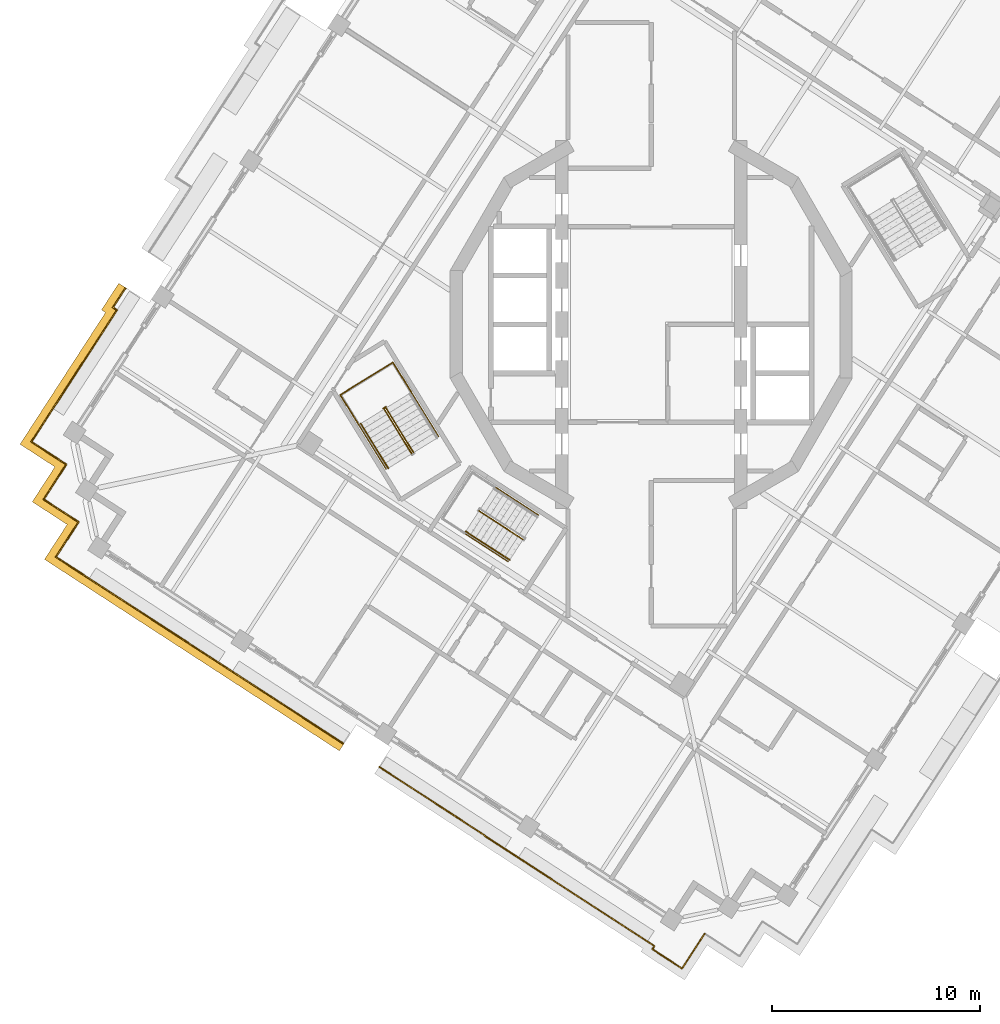
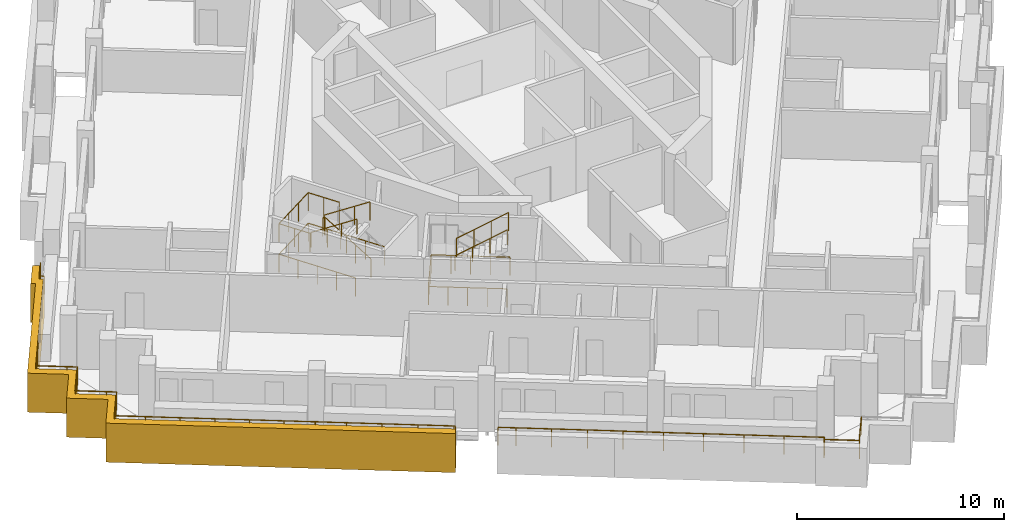
# One storey, part 11 of 15: 11 railings, 1 covering.
"""IFC4 building model written with IfcOpenShell, lengths in metres."""

from ifc_helpers import new_model, si_unit, direction, frame, origin, origin_2d, place, context, subcontext, project, spatial, polyline, circle, outline, extrude, material, type_object, element, save


model = new_model("IFC4")

# Units and contexts
model_context = context("Model", 3, precision=1e-05, world=origin(), true_north=direction((0.0, 1.0)))
body_context = subcontext(model_context, "Body", "Model", "MODEL_VIEW")
ifc_project = project(units=[si_unit("LENGTHUNIT", "METRE"), si_unit("AREAUNIT", "SQUARE_METRE"), si_unit("VOLUMEUNIT", "CUBIC_METRE"), si_unit("PLANEANGLEUNIT", "RADIAN"), si_unit("MASSUNIT", "GRAM", prefix="KILO")], contexts=[model_context])

# Site, building, storey
site_placement = place(None, origin())
site = spatial("IfcSite", under=ifc_project, at=site_placement, CompositionType="ELEMENT")
building_placement = place(site_placement, origin())
building = spatial("IfcBuilding", under=site, at=building_placement, Name="Cantera Rosa Tower", CompositionType="ELEMENT")
storey_placement = place(building_placement, frame((0.0, 0.0, 272.10009765625)))
storey = spatial("IfcBuildingStorey", under=building, at=storey_placement, Name="L61", CompositionType="ELEMENT", Elevation=272.10009765625)

# Railings
ifc_material_1 = material(Name="Stainless steel and laminated glass", Category="steel")
railing_type_1 = type_object("IfcRailingType", Name="GUARD 1100", PredefinedType="BALUSTRADE", material=ifc_material_1)
railing_1_placement = place(storey_placement, frame((-28.3720703125, -7.151123046875, 0.0)))
element("IfcRailing", 1, at=railing_1_placement, inside=storey, type_object=railing_type_1, Name="GUARD L61-1", PredefinedType="BALUSTRADE", context=body_context, shape_type="SweptSolid", body=[
    extrude(circle(Radius=0.030029296875, at=origin_2d()), frame((0.0, 0.0, 1.070068359375), z_axis=(0.544627753175, 0.83867789435, 0.0), x_axis=(-0.83867789435, 0.544627753175, 0.0)), (0.0, 0.0, 1.0), 0.499755859375),
    extrude(circle(Radius=0.030029296875, at=origin_2d()), frame((0.272216796875, 0.419189453125, 1.070068359375), z_axis=(-0.838454772945, 0.544971186143, 0.0), x_axis=(-0.544971186143, -0.838454772945, 0.0)), (0.0, 0.0, 1.0), 0.5),
    extrude(circle(Radius=0.030029296875, at=origin_2d()), frame((-0.14697265625, 0.691650390625, 1.070068359375), z_axis=(-0.8387001057, 0.544593548161, 0.0), x_axis=(-0.544593548161, -0.8387001057, 0.0)), (0.0, 0.0, 1.0), 1.5),
    extrude(circle(Radius=0.030029296875, at=origin_2d()), frame((-1.405029296875, 1.508544921875, 1.070068359375), z_axis=(0.544593548161, 0.8387001057, 0.0), x_axis=(-0.8387001057, 0.544593548161, 0.0)), (0.0, 0.0, 1.0), 1.5),
    extrude(circle(Radius=0.030029296875, at=origin_2d()), frame((-0.588134765625, 2.7666015625, 1.070068359375), z_axis=(0.544663344191, 0.838654780881, 0.0), x_axis=(-0.838654780881, 0.544663344191, 0.0)), (0.0, 0.0, 1.0), 6.047119140625),
    extrude(circle(Radius=0.030029296875, at=origin_2d()), frame((2.70556640625, 7.838134765625, 1.070068359375), z_axis=(-0.838922465859, 0.544250949726, 0.0), x_axis=(-0.544250949726, -0.838922465859, 0.0)), (0.0, 0.0, 1.0), 0.23291015625),
    extrude(circle(Radius=0.030029296875, at=origin_2d()), frame((2.51025390625, 7.96484375, 1.070068359375), z_axis=(0.544544776957, 0.838731772314, 0.0), x_axis=(-0.838731772314, 0.544544776957, 0.0)), (0.0, 0.0, 1.0), 1.10302734375),
    extrude(circle(Radius=0.02490234375, at=origin_2d()), origin(), (0.0, 0.0, 1.0), 1.0400390625),
    extrude(circle(Radius=0.02490234375, at=origin_2d()), frame((0.272216796875, 0.419189453125, 0.0)), (0.0, 0.0, 1.0), 1.0400390625),
    extrude(circle(Radius=0.02490234375, at=origin_2d()), frame((-0.14697265625, 0.691650390625, 0.0)), (0.0, 0.0, 1.0), 1.0400390625),
    extrude(circle(Radius=0.02490234375, at=origin_2d()), frame((-1.405029296875, 1.508544921875, 0.0)), (0.0, 0.0, 1.0), 1.0400390625),
    extrude(circle(Radius=0.02490234375, at=origin_2d()), frame((-0.588134765625, 2.7666015625, 0.0)), (0.0, 0.0, 1.0), 1.0400390625),
    extrude(circle(Radius=0.02490234375, at=origin_2d()), frame((0.509765625, 4.45703125, 0.0)), (0.0, 0.0, 1.0), 1.0400390625),
    extrude(circle(Radius=0.02490234375, at=origin_2d()), frame((1.607666015625, 6.147705078125, 0.0)), (0.0, 0.0, 1.0), 1.0400390625),
    extrude(circle(Radius=0.02490234375, at=origin_2d()), frame((2.70556640625, 7.838134765625, 0.0)), (0.0, 0.0, 1.0), 1.0400390625),
    extrude(circle(Radius=0.02490234375, at=origin_2d()), frame((2.51025390625, 7.96484375, 0.0)), (0.0, 0.0, 1.0), 1.0400390625),
    extrude(circle(Radius=0.02490234375, at=origin_2d()), frame((3.11083984375, 8.889892578125, 0.0)), (0.0, 0.0, 1.0), 1.0400390625),
])
railing_2_placement = place(storey_placement, frame((-14.7880859375, -20.14599609375, 0.0)))
element("IfcRailing", 2, at=railing_2_placement, inside=storey, type_object=railing_type_1, Name="GUARD L61-2", PredefinedType="BALUSTRADE", context=body_context, shape_type="SweptSolid", body=[
    extrude(circle(Radius=0.030029296875, at=origin_2d()), frame((0.0, 0.0, 1.070068359375), z_axis=(-0.838443616301, 0.544988350595, 0.0), x_axis=(-0.544988350595, -0.838443616301, 0.0)), (0.0, 0.0, 1.0), 0.06982421875),
    extrude(circle(Radius=0.030029296875, at=origin_2d()), frame((-0.05859375, 0.0380859375, 1.070068359375), z_axis=(-0.838657010828, 0.544659910576, 0.0), x_axis=(-0.544659910576, -0.838657010828, 0.0)), (0.0, 0.0, 1.0), 5.2001953125),
    extrude(circle(Radius=0.030029296875, at=origin_2d()), frame((-4.419677734375, 2.870361328125, 1.070068359375), z_axis=(-0.8387001057, 0.544593548161, 0.0), x_axis=(-0.544593548161, -0.8387001057, 0.0)), (0.0, 0.0, 1.0), 3.0),
    extrude(circle(Radius=0.030029296875, at=origin_2d()), frame((-6.935791015625, 4.504150390625, 1.070068359375), z_axis=(-0.838666659313, 0.544645053734, 0.0), x_axis=(-0.544645053734, -0.838666659313, 0.0)), (0.0, 0.0, 1.0), 6.7001953125),
    extrude(circle(Radius=0.030029296875, at=origin_2d()), frame((-12.554931640625, 8.1533203125, 1.070068359375), z_axis=(-0.838651824232, 0.544667896716, 0.0), x_axis=(-0.544667896716, -0.838651824232, 0.0)), (0.0, 0.0, 1.0), 1.499755859375),
    extrude(circle(Radius=0.030029296875, at=origin_2d()), frame((-13.812744140625, 8.97021484375, 1.070068359375), z_axis=(0.544593548161, 0.8387001057, 0.0), x_axis=(-0.8387001057, 0.544593548161, 0.0)), (0.0, 0.0, 1.0), 1.5),
    extrude(circle(Radius=0.030029296875, at=origin_2d()), frame((-12.995849609375, 10.228271484375, 1.070068359375), z_axis=(0.544627753175, 0.83867789435, 0.0), x_axis=(-0.83867789435, 0.544627753175, 0.0)), (0.0, 0.0, 1.0), 0.499755859375),
    extrude(circle(Radius=0.030029296875, at=origin_2d()), frame((-12.7236328125, 10.6474609375, 1.070068359375), z_axis=(-0.838454772945, 0.544971186143, 0.0), x_axis=(-0.544971186143, -0.838454772945, 0.0)), (0.0, 0.0, 1.0), 0.5),
    extrude(circle(Radius=0.030029296875, at=origin_2d()), frame((-13.142822265625, 10.919921875, 1.070068359375), z_axis=(-0.8387001057, 0.544593548161, 0.0), x_axis=(-0.544593548161, -0.8387001057, 0.0)), (0.0, 0.0, 1.0), 1.5),
    extrude(circle(Radius=0.030029296875, at=origin_2d()), frame((-14.40087890625, 11.73681640625, 1.070068359375), z_axis=(0.544593548161, 0.8387001057, 0.0), x_axis=(-0.8387001057, 0.544593548161, 0.0)), (0.0, 0.0, 1.0), 1.5),
    extrude(circle(Radius=0.02490234375, at=origin_2d()), origin(), (0.0, 0.0, 1.0), 1.0400390625),
    extrude(circle(Radius=0.02490234375, at=origin_2d()), frame((-0.05859375, 0.0380859375, 0.0)), (0.0, 0.0, 1.0), 1.0400390625),
    extrude(circle(Radius=0.02490234375, at=origin_2d()), frame((-1.51220703125, 0.982177734375, 0.0)), (0.0, 0.0, 1.0), 1.0400390625),
    extrude(circle(Radius=0.02490234375, at=origin_2d()), frame((-2.966064453125, 1.92626953125, 0.0)), (0.0, 0.0, 1.0), 1.0400390625),
    extrude(circle(Radius=0.02490234375, at=origin_2d()), frame((-4.419677734375, 2.870361328125, 0.0)), (0.0, 0.0, 1.0), 1.0400390625),
    extrude(circle(Radius=0.02490234375, at=origin_2d()), frame((-5.677734375, 3.687255859375, 0.0)), (0.0, 0.0, 1.0), 1.0400390625),
    extrude(circle(Radius=0.02490234375, at=origin_2d()), frame((-6.935791015625, 4.504150390625, 0.0)), (0.0, 0.0, 1.0), 1.0400390625),
    extrude(circle(Radius=0.02490234375, at=origin_2d()), frame((-8.340576171875, 5.41650390625, 0.0)), (0.0, 0.0, 1.0), 1.0400390625),
    extrude(circle(Radius=0.02490234375, at=origin_2d()), frame((-9.745361328125, 6.32861328125, 0.0)), (0.0, 0.0, 1.0), 1.0400390625),
    extrude(circle(Radius=0.02490234375, at=origin_2d()), frame((-11.150146484375, 7.240966796875, 0.0)), (0.0, 0.0, 1.0), 1.0400390625),
    extrude(circle(Radius=0.02490234375, at=origin_2d()), frame((-12.554931640625, 8.1533203125, 0.0)), (0.0, 0.0, 1.0), 1.0400390625),
    extrude(circle(Radius=0.02490234375, at=origin_2d()), frame((-13.812744140625, 8.97021484375, 0.0)), (0.0, 0.0, 1.0), 1.0400390625),
    extrude(circle(Radius=0.02490234375, at=origin_2d()), frame((-12.995849609375, 10.228271484375, 0.0)), (0.0, 0.0, 1.0), 1.0400390625),
    extrude(circle(Radius=0.02490234375, at=origin_2d()), frame((-12.7236328125, 10.6474609375, 0.0)), (0.0, 0.0, 1.0), 1.0400390625),
    extrude(circle(Radius=0.02490234375, at=origin_2d()), frame((-13.142822265625, 10.919921875, 0.0)), (0.0, 0.0, 1.0), 1.0400390625),
    extrude(circle(Radius=0.02490234375, at=origin_2d()), frame((-14.40087890625, 11.73681640625, 0.0)), (0.0, 0.0, 1.0), 1.0400390625),
    extrude(circle(Radius=0.02490234375, at=origin_2d()), frame((-13.583984375, 12.994873046875, 0.0)), (0.0, 0.0, 1.0), 1.0400390625),
])
railing_3_placement = place(storey_placement, frame((2.571533203125, -29.273193359375, 0.0)))
element("IfcRailing", 3, at=railing_3_placement, inside=storey, type_object=railing_type_1, Name="GUARD L61-5", PredefinedType="BALUSTRADE", context=body_context, shape_type="SweptSolid", body=[
    extrude(circle(Radius=0.030029296875, at=origin_2d()), frame((0.0, 0.0, 1.070068359375), z_axis=(-0.54468796124, -0.838638792855, 0.0), x_axis=(0.838638792855, -0.54468796124, 0.0)), (0.0, 0.0, 1.0), 2.0),
    extrude(circle(Radius=0.030029296875, at=origin_2d()), frame((-1.08935546875, -1.67724609375, 1.070068359375), z_axis=(-0.838663412569, 0.54465005317, 0.0), x_axis=(-0.54465005317, -0.838663412569, 0.0)), (0.0, 0.0, 1.0), 1.69970703125),
    extrude(circle(Radius=0.030029296875, at=origin_2d()), frame((-2.514892578125, -0.75146484375, 1.070068359375), z_axis=(0.544370967285, 0.838844592268, 0.0), x_axis=(-0.838844592268, 0.544370967285, 0.0)), (0.0, 0.0, 1.0), 0.1806640625),
    extrude(circle(Radius=0.030029296875, at=origin_2d()), frame((-2.41650390625, -0.599853515625, 1.070068359375), z_axis=(-0.838675395149, 0.544631601702, 0.0), x_axis=(-0.544631601702, -0.838675395149, 0.0)), (0.0, 0.0, 1.0), 9.71923828125),
    extrude(circle(Radius=0.030029296875, at=origin_2d()), frame((-10.56787109375, 4.693603515625, 1.070068359375), z_axis=(0.545880477365, 0.837863058281, 0.0), x_axis=(-0.837863058281, 0.545880477365, 0.0)), (0.0, 0.0, 1.0), 0.019287109375),
    extrude(circle(Radius=0.030029296875, at=origin_2d()), frame((-10.557373046875, 4.709716796875, 1.070068359375), z_axis=(-0.838659954682, 0.54465537766, 0.0), x_axis=(-0.54465537766, -0.838659954682, 0.0)), (0.0, 0.0, 1.0), 5.180908203125),
    extrude(circle(Radius=0.030029296875, at=origin_2d()), frame((-14.90234375, 7.531494140625, 1.070068359375), z_axis=(-0.838725681888, 0.544554157584, 0.0), x_axis=(-0.544554157584, -0.838725681888, 0.0)), (0.0, 0.0, 1.0), 0.869873046875),
    extrude(circle(Radius=0.02490234375, at=origin_2d()), origin(), (0.0, 0.0, 1.0), 1.0400390625),
    extrude(circle(Radius=0.02490234375, at=origin_2d()), frame((-1.08935546875, -1.67724609375, 0.0)), (0.0, 0.0, 1.0), 1.0400390625),
    extrude(circle(Radius=0.02490234375, at=origin_2d()), frame((-2.514892578125, -0.75146484375, 0.0)), (0.0, 0.0, 1.0), 1.0400390625),
    extrude(circle(Radius=0.02490234375, at=origin_2d()), frame((-2.41650390625, -0.599853515625, 0.0)), (0.0, 0.0, 1.0), 1.0400390625),
    extrude(circle(Radius=0.02490234375, at=origin_2d()), frame((-4.046875, 0.458740234375, 0.0)), (0.0, 0.0, 1.0), 1.0400390625),
    extrude(circle(Radius=0.02490234375, at=origin_2d()), frame((-5.677001953125, 1.517578125, 0.0)), (0.0, 0.0, 1.0), 1.0400390625),
    extrude(circle(Radius=0.02490234375, at=origin_2d()), frame((-7.307373046875, 2.576171875, 0.0)), (0.0, 0.0, 1.0), 1.0400390625),
    extrude(circle(Radius=0.02490234375, at=origin_2d()), frame((-8.9375, 3.635009765625, 0.0)), (0.0, 0.0, 1.0), 1.0400390625),
    extrude(circle(Radius=0.02490234375, at=origin_2d()), frame((-10.56787109375, 4.693603515625, 0.0)), (0.0, 0.0, 1.0), 1.0400390625),
    extrude(circle(Radius=0.02490234375, at=origin_2d()), frame((-10.557373046875, 4.709716796875, 0.0)), (0.0, 0.0, 1.0), 1.0400390625),
    extrude(circle(Radius=0.02490234375, at=origin_2d()), frame((-12.005615234375, 5.650390625, 0.0)), (0.0, 0.0, 1.0), 1.0400390625),
    extrude(circle(Radius=0.02490234375, at=origin_2d()), frame((-13.4541015625, 6.5908203125, 0.0)), (0.0, 0.0, 1.0), 1.0400390625),
    extrude(circle(Radius=0.02490234375, at=origin_2d()), frame((-14.90234375, 7.531494140625, 0.0)), (0.0, 0.0, 1.0), 1.0400390625),
    extrude(circle(Radius=0.02490234375, at=origin_2d()), frame((-15.6318359375, 8.005126953125, 0.0)), (0.0, 0.0, 1.0), 1.0400390625),
])
ifc_material_2 = material(Name="Steel S355J2 (EN 10025-2)", Category="steel")
railing_type_2 = type_object("IfcRailingType", Name="STAIR GUARD 1100", PredefinedType="GUARDRAIL", material=ifc_material_2)
railing_4_placement = place(storey_placement, frame((-11.42333984375, -6.165771484375, 0.179931640625)))
element("IfcRailing", 4, at=railing_4_placement, inside=storey, type_object=railing_type_2, Name="L61 ST-52 stair guard 1", PredefinedType="GUARDRAIL", context=body_context, shape_type="SweptSolid", body=[
    extrude(circle(Radius=0.02392578125, at=origin_2d()), frame((0.0, 0.0, 1.076171875), z_axis=(-0.441628529057, 0.715945124149, 0.540728047664), x_axis=(-0.851102330005, -0.524999832248, 0.0)), (0.0, 0.0, 1.0), 2.99560546875),
    extrude(circle(Radius=0.02392578125, at=origin_2d()), frame((-1.322998046875, 2.144775390625, 2.69580078125), z_axis=(-0.073711968402, 0.997279572494, 0.0), x_axis=(-0.997279572494, -0.073711968402, 0.0)), (0.0, 0.0, 1.0), 0.056396484375),
    extrude(circle(Radius=0.02392578125, at=origin_2d()), frame((-1.3271484375, 2.200927734375, 2.69580078125), z_axis=(-0.851546489876, -0.524279100842, 0.0), x_axis=(0.524279100842, -0.851546489876, 0.0)), (0.0, 0.0, 1.0), 0.14990234375),
    extrude(circle(Radius=0.02099609375, at=origin_2d()), origin(), (0.0, 0.0, 1.0), 1.052001953125),
    extrude(circle(Radius=0.02099609375, at=origin_2d()), frame((-0.44091796875, 0.71484375, 0.5400390625)), (0.0, 0.0, 1.0), 1.052001953125),
    extrude(circle(Radius=0.02099609375, at=origin_2d()), frame((-0.882080078125, 1.429931640625, 1.079833984375)), (0.0, 0.0, 1.0), 1.052001953125),
    extrude(circle(Radius=0.02099609375, at=origin_2d()), frame((-1.322998046875, 2.144775390625, 1.619873046875)), (0.0, 0.0, 1.0), 1.052001953125),
    extrude(circle(Radius=0.02099609375, at=origin_2d()), frame((-1.3271484375, 2.200927734375, 1.619873046875)), (0.0, 0.0, 1.0), 1.052001953125),
    extrude(circle(Radius=0.02099609375, at=origin_2d()), frame((-1.454833984375, 2.122314453125, 1.619873046875)), (0.0, 0.0, 1.0), 1.052001953125),
])
railing_5_placement = place(storey_placement, frame((-12.82958984375, -4.072509765625, 1.97998046875)))
element("IfcRailing", 5, at=railing_5_placement, inside=storey, type_object=railing_type_2, Name="L61 ST-52 stair guard 2", PredefinedType="GUARDRAIL", context=body_context, shape_type="SweptSolid", body=[
    extrude(circle(Radius=0.02392578125, at=origin_2d()), frame((0.0, 0.0, 1.076171875), z_axis=(0.441562923896, -0.715970890813, 0.540747508315), x_axis=(0.851145618652, 0.524929648476, 0.0)), (0.0, 0.0, 1.0), 2.99560546875),
    extrude(circle(Radius=0.02099609375, at=origin_2d()), origin(), (0.0, 0.0, 1.0), 1.052001953125),
    extrude(circle(Radius=0.02099609375, at=origin_2d()), frame((0.44091796875, -0.71484375, 0.5400390625)), (0.0, 0.0, 1.0), 1.052001953125),
    extrude(circle(Radius=0.02099609375, at=origin_2d()), frame((0.8818359375, -1.429931640625, 1.079833984375)), (0.0, 0.0, 1.0), 1.052001953125),
    extrude(circle(Radius=0.02099609375, at=origin_2d()), frame((1.32275390625, -2.144775390625, 1.619873046875)), (0.0, 0.0, 1.0), 1.052001953125),
])
railing_6_placement = place(storey_placement, frame((-10.20751953125, -5.40185546875, 0.0)))
element("IfcRailing", 6, at=railing_6_placement, inside=storey, type_object=railing_type_2, Name="L61 ST-52 stair guard 4", PredefinedType="GUARDRAIL", context=body_context, shape_type="SweptSolid", body=[
    extrude(circle(Radius=0.02392578125, at=origin_2d()), frame((0.0, 0.0, 1.076171875), z_axis=(-0.524976478809, 0.851116735059, 0.0), x_axis=(-0.851116735059, -0.524976478809, 0.0)), (0.0, 0.0, 1.0), 4.197998046875),
    extrude(circle(Radius=0.02392578125, at=origin_2d()), frame((-2.203857421875, 3.572998046875, 1.076171875), z_axis=(-0.851132917336, -0.524950242429, 0.0), x_axis=(0.524950242429, -0.851132917336, 0.0)), (0.0, 0.0, 1.0), 2.969970703125),
    extrude(circle(Radius=0.02392578125, at=origin_2d()), frame((-4.731689453125, 2.013916015625, 1.076171875), z_axis=(0.524976478809, -0.851116735059, 0.0), x_axis=(0.851116735059, 0.524976478809, 0.0)), (0.0, 0.0, 1.0), 4.197998046875),
    extrude(circle(Radius=0.02099609375, at=origin_2d()), origin(), (0.0, 0.0, 1.0), 1.052001953125),
    extrude(circle(Radius=0.02099609375, at=origin_2d()), frame((-0.551025390625, 0.893310546875, 0.0)), (0.0, 0.0, 1.0), 1.052001953125),
    extrude(circle(Radius=0.02099609375, at=origin_2d()), frame((-1.10205078125, 1.78662109375, 0.0)), (0.0, 0.0, 1.0), 1.052001953125),
    extrude(circle(Radius=0.02099609375, at=origin_2d()), frame((-1.65283203125, 2.6796875, 0.0)), (0.0, 0.0, 1.0), 1.052001953125),
    extrude(circle(Radius=0.02099609375, at=origin_2d()), frame((-2.203857421875, 3.572998046875, 0.0)), (0.0, 0.0, 1.0), 1.052001953125),
    extrude(circle(Radius=0.02099609375, at=origin_2d()), frame((-3.04638671875, 3.05322265625, 0.0)), (0.0, 0.0, 1.0), 1.052001953125),
    extrude(circle(Radius=0.02099609375, at=origin_2d()), frame((-3.88916015625, 2.53369140625, 0.0)), (0.0, 0.0, 1.0), 1.052001953125),
    extrude(circle(Radius=0.02099609375, at=origin_2d()), frame((-4.731689453125, 2.013916015625, 0.0)), (0.0, 0.0, 1.0), 1.052001953125),
    extrude(circle(Radius=0.02099609375, at=origin_2d()), frame((-4.1806640625, 1.12060546875, 0.0)), (0.0, 0.0, 1.0), 1.052001953125),
    extrude(circle(Radius=0.02099609375, at=origin_2d()), frame((-3.6298828125, 0.2275390625, 0.0)), (0.0, 0.0, 1.0), 1.052001953125),
    extrude(circle(Radius=0.02099609375, at=origin_2d()), frame((-3.078857421875, -0.665771484375, 0.0)), (0.0, 0.0, 1.0), 1.052001953125),
    extrude(circle(Radius=0.02099609375, at=origin_2d()), frame((-2.52783203125, -1.55908203125, 0.0)), (0.0, 0.0, 1.0), 1.052001953125),
])
railing_7_placement = place(storey_placement, frame((-11.517822265625, -3.27734375, 1.7998046875)))
element("IfcRailing", 7, at=railing_7_placement, inside=storey, type_object=railing_type_2, Name="L61 ST-52 stair guard 5", PredefinedType="GUARDRAIL", context=body_context, shape_type="SweptSolid", body=[
    extrude(circle(Radius=0.02392578125, at=origin_2d()), frame((0.0, 0.0, 1.076171875), z_axis=(-0.525025534833, 0.851086474909, 0.0), x_axis=(-0.851086474909, -0.525025534833, 0.0)), (0.0, 0.0, 1.0), 1.701904296875),
    extrude(circle(Radius=0.02392578125, at=origin_2d()), frame((-0.8935546875, 1.448486328125, 1.076171875), z_axis=(-0.851132917336, -0.524950242429, 0.0), x_axis=(0.524950242429, -0.851132917336, 0.0)), (0.0, 0.0, 1.0), 2.969970703125),
    extrude(circle(Radius=0.02392578125, at=origin_2d()), frame((-3.42138671875, -0.110595703125, 1.076171875), z_axis=(0.524961441845, -0.851126009811, 0.0), x_axis=(0.851126009811, 0.524961441845, 0.0)), (0.0, 0.0, 1.0), 1.7021484375),
    extrude(circle(Radius=0.02099609375, at=origin_2d()), origin(), (0.0, 0.0, 1.0), 1.052001953125),
    extrude(circle(Radius=0.02099609375, at=origin_2d()), frame((-0.44677734375, 0.72412109375, 0.0)), (0.0, 0.0, 1.0), 1.052001953125),
    extrude(circle(Radius=0.02099609375, at=origin_2d()), frame((-0.8935546875, 1.448486328125, 0.0)), (0.0, 0.0, 1.0), 1.052001953125),
    extrude(circle(Radius=0.02099609375, at=origin_2d()), frame((-1.736083984375, 0.9287109375, 0.0)), (0.0, 0.0, 1.0), 1.052001953125),
    extrude(circle(Radius=0.02099609375, at=origin_2d()), frame((-2.578857421875, 0.4091796875, 0.0)), (0.0, 0.0, 1.0), 1.052001953125),
    extrude(circle(Radius=0.02099609375, at=origin_2d()), frame((-3.42138671875, -0.110595703125, 0.0)), (0.0, 0.0, 1.0), 1.052001953125),
    extrude(circle(Radius=0.02099609375, at=origin_2d()), frame((-2.974609375, -0.8349609375, 0.0)), (0.0, 0.0, 1.0), 1.052001953125),
    extrude(circle(Radius=0.02099609375, at=origin_2d()), frame((-2.52783203125, -1.559326171875, 0.0)), (0.0, 0.0, 1.0), 1.052001953125),
])
railing_8_placement = place(storey_placement, frame((-8.270751953125, -8.963134765625, 1.97998046875)))
element("IfcRailing", 8, at=railing_8_placement, inside=storey, type_object=railing_type_2, Name="L61 ST-53 stair guard 2", PredefinedType="GUARDRAIL", context=body_context, shape_type="SweptSolid", body=[
    extrude(circle(Radius=0.02392578125, at=origin_2d()), frame((0.0, 0.0, 1.076171875), z_axis=(0.705478509026, -0.458120921815, 0.540763621463), x_axis=(0.54462048956, 0.838682611213, 0.0)), (0.0, 0.0, 1.0), 2.99560546875),
    extrude(circle(Radius=0.02099609375, at=origin_2d()), origin(), (0.0, 0.0, 1.0), 1.052001953125),
    extrude(circle(Radius=0.02099609375, at=origin_2d()), frame((0.704345703125, -0.45751953125, 0.5400390625)), (0.0, 0.0, 1.0), 1.052001953125),
    extrude(circle(Radius=0.02099609375, at=origin_2d()), frame((1.408935546875, -0.914794921875, 1.079833984375)), (0.0, 0.0, 1.0), 1.052001953125),
    extrude(circle(Radius=0.02099609375, at=origin_2d()), frame((2.11328125, -1.372314453125, 1.619873046875)), (0.0, 0.0, 1.0), 1.052001953125),
])
railing_9_placement = place(storey_placement, frame((-5.41357421875, -9.168212890625, 0.0)))
element("IfcRailing", 9, at=railing_9_placement, inside=storey, type_object=railing_type_2, Name="L61 ST-53 stair guard 4", PredefinedType="GUARDRAIL", context=body_context, shape_type="SweptSolid", body=[
    extrude(circle(Radius=0.02392578125, at=origin_2d()), frame((0.0, 0.0, 1.076171875), z_axis=(-0.838665308336, 0.544647134018, 0.0), x_axis=(-0.544647134018, -0.838665308336, 0.0)), (0.0, 0.0, 1.0), 3.798095703125),
    extrude(circle(Radius=0.02392578125, at=origin_2d()), frame((-3.185302734375, 2.068603515625, 1.076171875), z_axis=(-0.544679779991, -0.838644106442, 0.0), x_axis=(0.838644106442, -0.544679779991, 0.0)), (0.0, 0.0, 1.0), 2.670166015625),
    extrude(circle(Radius=0.02392578125, at=origin_2d()), frame((-4.6396484375, -0.170654296875, 1.076171875), z_axis=(0.838665308336, -0.544647134018, 0.0), x_axis=(0.544647134018, 0.838665308336, 0.0)), (0.0, 0.0, 1.0), 3.798095703125),
    extrude(circle(Radius=0.02099609375, at=origin_2d()), origin(), (0.0, 0.0, 1.0), 1.052001953125),
    extrude(circle(Radius=0.02099609375, at=origin_2d()), frame((-0.79638671875, 0.51708984375, 0.0)), (0.0, 0.0, 1.0), 1.052001953125),
    extrude(circle(Radius=0.02099609375, at=origin_2d()), frame((-1.5927734375, 1.0341796875, 0.0)), (0.0, 0.0, 1.0), 1.052001953125),
    extrude(circle(Radius=0.02099609375, at=origin_2d()), frame((-2.388916015625, 1.551513671875, 0.0)), (0.0, 0.0, 1.0), 1.052001953125),
    extrude(circle(Radius=0.02099609375, at=origin_2d()), frame((-3.185302734375, 2.068603515625, 0.0)), (0.0, 0.0, 1.0), 1.052001953125),
    extrude(circle(Radius=0.02099609375, at=origin_2d()), frame((-3.670166015625, 1.322265625, 0.0)), (0.0, 0.0, 1.0), 1.052001953125),
    extrude(circle(Radius=0.02099609375, at=origin_2d()), frame((-4.15478515625, 0.57568359375, 0.0)), (0.0, 0.0, 1.0), 1.052001953125),
    extrude(circle(Radius=0.02099609375, at=origin_2d()), frame((-4.6396484375, -0.170654296875, 0.0)), (0.0, 0.0, 1.0), 1.052001953125),
    extrude(circle(Radius=0.02099609375, at=origin_2d()), frame((-3.84326171875, -0.687744140625, 0.0)), (0.0, 0.0, 1.0), 1.052001953125),
    extrude(circle(Radius=0.02099609375, at=origin_2d()), frame((-3.046875, -1.205078125, 0.0)), (0.0, 0.0, 1.0), 1.052001953125),
    extrude(circle(Radius=0.02099609375, at=origin_2d()), frame((-2.250732421875, -1.72216796875, 0.0)), (0.0, 0.0, 1.0), 1.052001953125),
    extrude(circle(Radius=0.02099609375, at=origin_2d()), frame((-1.454345703125, -2.2392578125, 0.0)), (0.0, 0.0, 1.0), 1.052001953125),
])
ifc_material_3 = material(Name="Steel S355J2 (EN 10025-2)", Category="steel")
railing_type_3 = type_object("IfcRailingType", Name="STAIR HANDRAIL 900", PredefinedType="HANDRAIL", material=ifc_material_3)
railing_10_placement = place(storey_placement, frame((-13.958251953125, -4.7685546875, 1.97998046875)))
element("IfcRailing", 10, at=railing_10_placement, inside=storey, type_object=railing_type_3, Name="L61 ST-52 stair handrail 2", PredefinedType="HANDRAIL", context=body_context, shape_type="SweptSolid", body=[
    extrude(circle(Radius=0.02392578125, at=origin_2d()), frame((0.0, 0.0, 0.8759765625), z_axis=(0.441628529057, -0.715945124149, 0.540728047664), x_axis=(0.851102330005, 0.524999832248, 0.0)), (0.0, 0.0, 1.0), 2.99560546875),
    extrude(circle(Radius=0.02099609375, at=origin_2d()), origin(), (0.0, 0.0, 1.0), 0.851806640625),
    extrude(circle(Radius=0.02099609375, at=origin_2d()), frame((0.44091796875, -0.71484375, 0.5400390625)), (0.0, 0.0, 1.0), 0.851806640625),
    extrude(circle(Radius=0.02099609375, at=origin_2d()), frame((0.882080078125, -1.429931640625, 1.079833984375)), (0.0, 0.0, 1.0), 0.851806640625),
    extrude(circle(Radius=0.02099609375, at=origin_2d()), frame((1.322998046875, -2.144775390625, 1.619873046875)), (0.0, 0.0, 1.0), 0.851806640625),
])
railing_11_placement = place(storey_placement, frame((-8.911376953125, -9.94921875, 1.97998046875)))
element("IfcRailing", 11, at=railing_11_placement, inside=storey, type_object=railing_type_3, Name="L61 ST-53 stair handrail 2", PredefinedType="HANDRAIL", context=body_context, shape_type="SweptSolid", body=[
    extrude(circle(Radius=0.02392578125, at=origin_2d()), frame((0.0, 0.0, 0.8759765625), z_axis=(0.705493103535, -0.458158972863, 0.540712341684), x_axis=(0.544644381691, 0.838667095749, 0.0)), (0.0, 0.0, 1.0), 2.995849609375),
    extrude(circle(Radius=0.02099609375, at=origin_2d()), origin(), (0.0, 0.0, 1.0), 0.851806640625),
    extrude(circle(Radius=0.02099609375, at=origin_2d()), frame((0.70458984375, -0.45751953125, 0.5400390625)), (0.0, 0.0, 1.0), 0.851806640625),
    extrude(circle(Radius=0.02099609375, at=origin_2d()), frame((1.408935546875, -0.9150390625, 1.079833984375)), (0.0, 0.0, 1.0), 0.851806640625),
    extrude(circle(Radius=0.02099609375, at=origin_2d()), frame((2.113525390625, -1.37255859375, 1.619873046875)), (0.0, 0.0, 1.0), 0.851806640625),
])

# Covering
ifc_material_4 = material(Name="Cantera stone", Category="masonry")
covering_type = type_object("IfcCoveringType", Name="TRAY FASCIA 400", PredefinedType="CLADDING", material=ifc_material_4)
covering_placement = place(storey_placement, frame((0.0, 0.0, -1.400146484375)))
element("IfcCovering", 12, at=covering_placement, inside=storey, type_object=covering_type, Name="TRAY FASCIA L61-01", PredefinedType="CLADDING", context=body_context, shape_type="SweptSolid", body=[
    extrude(outline(polyline([(-25.585693359375, 1.973388671875), (-25.250244140625, 1.755615234375), (-25.86181640625, 0.813720703125), (-25.66650390625, 0.68701171875), (-28.960205078125, -4.384521484375), (-29.777099609375, -5.642578125), (-28.51904296875, -6.45947265625), (-28.099853515625, -6.73193359375), (-28.3720703125, -7.151123046875), (-29.18896484375, -8.4091796875), (-27.930908203125, -9.22607421875), (-27.51171875, -9.49853515625), (-27.783935546875, -9.917724609375), (-28.600830078125, -11.17578125), (-27.343017578125, -11.99267578125), (-21.723876953125, -15.641845703125), (-19.207763671875, -17.275634765625), (-14.8466796875, -20.10791015625), (-14.771240234375, -20.156982421875), (-14.989013671875, -20.492431640625), (-15.064697265625, -20.443359375), (-19.42578125, -17.611328125), (-21.941650390625, -15.977294921875), (-27.560791015625, -12.328125), (-29.154296875, -11.29345703125), (-28.119384765625, -9.699951171875), (-28.06494140625, -9.615966796875), (-28.14892578125, -9.5615234375), (-29.742431640625, -8.52685546875), (-28.70751953125, -6.933349609375), (-28.653076171875, -6.849365234375), (-28.73681640625, -6.794921875), (-30.330322265625, -5.76025390625), (-29.295654296875, -4.166748046875), (-26.219970703125, 0.5693359375), (-26.415283203125, 0.6962890625), (-25.585693359375, 1.973388671875)])), origin(), (0.0, 0.0, 1.0), 2.300048828125),
])

save(model, "model.ifc")
